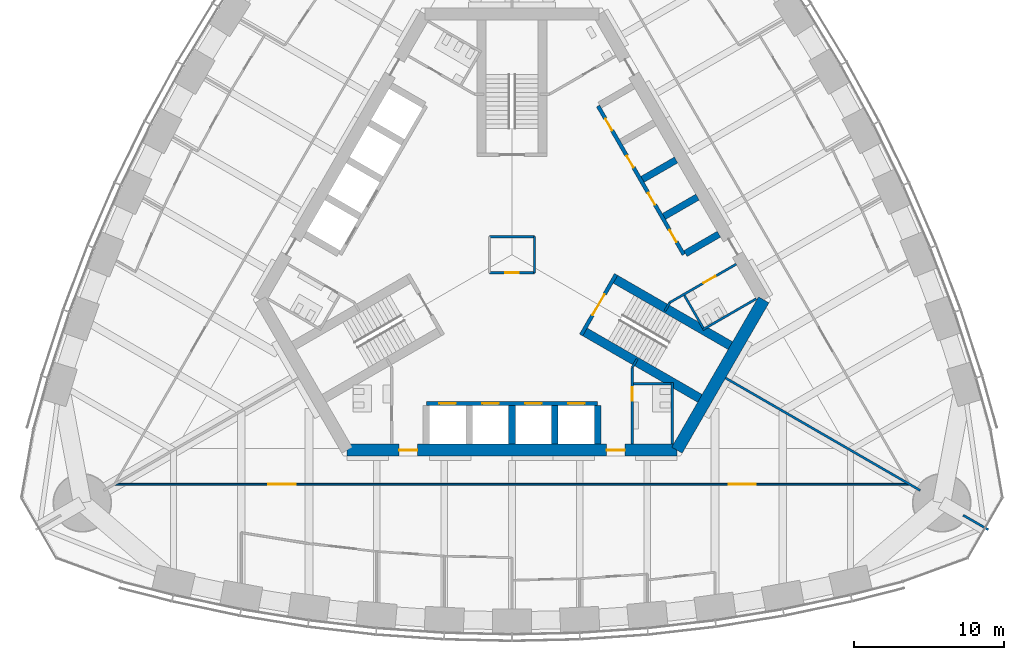
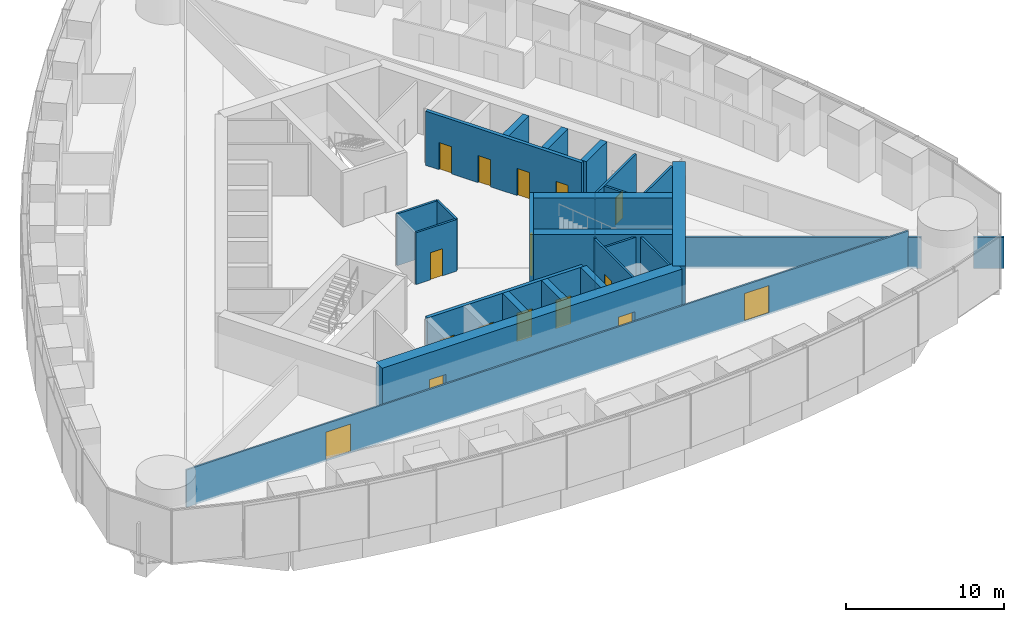
# One storey, part 12 of 19: 27 walls, 16 doors, 16 openings.
"""IFC4 building model written with IfcOpenShell, lengths in metres."""

from ifc_helpers import new_model, si_unit, direction, frame, frame_2d, origin, place, context, subcontext, project, spatial, rectangle, extrude, material, layer, layer_set, type_object, element, fill, save


model = new_model("IFC4")

# Units and contexts
model_context = context("Model", 3, precision=1e-05, world=origin(), true_north=direction((0.0, 1.0)))
body_context = subcontext(model_context, "Body", "Model", "MODEL_VIEW")
ifc_project = project(units=[si_unit("LENGTHUNIT", "METRE"), si_unit("AREAUNIT", "SQUARE_METRE"), si_unit("VOLUMEUNIT", "CUBIC_METRE"), si_unit("PLANEANGLEUNIT", "RADIAN"), si_unit("MASSUNIT", "GRAM", prefix="KILO")], contexts=[model_context])

# Site, building, storey
site_placement = place(None, origin())
site = spatial("IfcSite", under=ifc_project, at=site_placement, CompositionType="ELEMENT")
building_placement = place(site_placement, origin())
building = spatial("IfcBuilding", under=site, at=building_placement, Name="Trefoil Bronze Tower", CompositionType="ELEMENT")
storey_placement = place(building_placement, frame((0.0, 0.0, 189.699951171875)))
storey = spatial("IfcBuildingStorey", under=building, at=storey_placement, Name="L43", CompositionType="ELEMENT", Elevation=189.699951171875)

# Wall, openings, doors
ifc_material_1 = material(Name="Concrete B80", Category="concrete")
ifc_layer_1 = layer(ifc_material_1, 0.800048828125)
ifc_layer_set_1 = layer_set([ifc_layer_1], Name="Core wall 800")
wall_type_1 = type_object("IfcWallType", Name="Core wall 800", PredefinedType="SHEAR", material=ifc_layer_set_1)
wall_1_placement = place(storey_placement, frame((-10.9697265625, -13.0, 0.0), z_axis=(0.0, 0.0, 1.0), x_axis=(1.0, 0.0, 0.0)))
wall_1 = element("IfcWall", 1, at=wall_1_placement, inside=storey, type_object=wall_type_1, Name="Core long wall 1 L43", PredefinedType="SHEAR", context=body_context, shape_type="SweptSolid", body=[
    extrude(rectangle(XDim=21.939453125, YDim=0.800048828125, at=frame_2d((10.9697265625, 0.0))), origin(), (0.0, 0.0, 1.0), 4.199951171875),
])
opening_1_placement = place(wall_1_placement, frame((17.269775390625, 0.0, 0.0)))
opening_1 = element("IfcOpeningElement", 2, at=opening_1_placement, cuts=wall_1, Name="Opening D2", PredefinedType="OPENING", context=body_context, shape_type="SweptSolid", body=[
    extrude(rectangle(XDim=1.199951171875, YDim=2.10009765625, at=frame_2d((0.60009765625, 1.050048828125))), frame((0.0, 0.409912109375, 0.0), z_axis=(0.0, -1.0, 0.0), x_axis=(1.0, 0.0, 0.0)), (0.0, 0.0, 1.0), 0.820068359375),
])
opening_2_placement = place(wall_1_placement, frame((3.4697265625, 0.0, 0.0)))
opening_2 = element("IfcOpeningElement", 3, at=opening_2_placement, cuts=wall_1, Name="Opening D2", PredefinedType="OPENING", context=body_context, shape_type="SweptSolid", body=[
    extrude(rectangle(XDim=1.199951171875, YDim=2.10009765625, at=frame_2d((0.60009765625, 1.050048828125))), frame((0.0, 0.409912109375, 0.0), z_axis=(0.0, -1.0, 0.0), x_axis=(1.0, 0.0, 0.0)), (0.0, 0.0, 1.0), 0.820068359375),
])
ifc_material_2 = material(Name="Steel door", Category="steel")
door_type_1 = type_object("IfcDoorType", Name="Lobby door 1200", OperationType="SINGLE_SWING_RIGHT", PredefinedType="DOOR", material=ifc_material_2)
door_1_placement = place(opening_1_placement, origin())
door_1 = element("IfcDoor", 4, at=door_1_placement, inside=storey, type_object=door_type_1, Name="Lobby door F1+ L43", OperationType="SINGLE_SWING_RIGHT", OverallHeight=2.10009765625, OverallWidth=1.199951171875, PredefinedType="DOOR", context=body_context, shape_type="SweptSolid", body=[
    extrude(rectangle(XDim=1.199951171875, YDim=2.10009765625, at=frame_2d((0.60009765625, 1.050048828125))), frame((0.0, 0.02490234375, 0.0), z_axis=(0.0, -1.0, 0.0), x_axis=(1.0, 0.0, 0.0)), (0.0, 0.0, 1.0), 0.050048828125),
])
fill(opening_1, door_1)
door_2_placement = place(opening_2_placement, origin())
door_2 = element("IfcDoor", 5, at=door_2_placement, inside=storey, type_object=door_type_1, Name="Lobby door F1- L43", OperationType="SINGLE_SWING_LEFT", OverallHeight=2.10009765625, OverallWidth=1.199951171875, PredefinedType="DOOR", context=body_context, shape_type="SweptSolid", body=[
    extrude(rectangle(XDim=1.199951171875, YDim=2.10009765625, at=frame_2d((0.60009765625, 1.050048828125))), frame((0.0, 0.02490234375, 0.0), z_axis=(0.0, -1.0, 0.0), x_axis=(1.0, 0.0, 0.0)), (0.0, 0.0, 1.0), 0.050048828125),
])
fill(opening_2, door_2)

# Wall
wall_2_placement = place(storey_placement, frame((10.9697265625, -13.0, 0.0), z_axis=(0.0, 0.0, 1.0), x_axis=(0.499995765644, 0.866027848477, 0.0)))
element("IfcWall", 6, at=wall_2_placement, inside=storey, type_object=wall_type_1, Name="Core short wall 1 L43", PredefinedType="SHEAR", context=body_context, shape_type="SweptSolid", body=[
    extrude(rectangle(XDim=11.546875, YDim=0.800048828125, at=frame_2d((5.7734375, 0.0))), origin(), (0.0, 0.0, 1.0), 4.199951171875),
])

# Wall, openings, doors
ifc_material_3 = material(Name="Glazed partition", Category="glass")
ifc_layer_2 = layer(ifc_material_3, 0.1201171875)
ifc_layer_set_2 = layer_set([ifc_layer_2], Name="Glazed partition 120")
wall_type_2 = type_object("IfcWallType", Name="Glazed partition 120", PredefinedType="PARTITIONING", material=ifc_layer_set_2)
wall_3_placement = place(storey_placement, frame((-26.398193359375, -15.260009765625, 0.0), z_axis=(0.0, 0.0, 1.0), x_axis=(1.0, 0.0, 0.0)))
wall_3 = element("IfcWall", 7, at=wall_3_placement, inside=storey, type_object=wall_type_2, Name="Partition F1 L43", PredefinedType="PARTITIONING", context=body_context, shape_type="SweptSolid", body=[
    extrude(rectangle(XDim=52.79638671875, YDim=0.1201171875, at=frame_2d((26.398193359375, 0.0))), origin(), (0.0, 0.0, 1.0), 2.900146484375),
])
opening_3_placement = place(wall_3_placement, frame((10.199951171875, 0.0, 0.14990234375)))
opening_3 = element("IfcOpeningElement", 8, at=opening_3_placement, cuts=wall_3, Name="Opening D10", PredefinedType="OPENING", context=body_context, shape_type="SweptSolid", body=[
    extrude(rectangle(XDim=1.800048828125, YDim=2.10009765625, at=frame_2d((0.89990234375, 1.050048828125))), frame((0.0, 0.070068359375, 0.0), z_axis=(0.0, -1.0, 0.0), x_axis=(1.0, 0.0, 0.0)), (0.0, 0.0, 1.0), 0.14013671875),
])
opening_4_placement = place(wall_3_placement, frame((40.800048828125, 0.0, 0.14990234375)))
opening_4 = element("IfcOpeningElement", 9, at=opening_4_placement, cuts=wall_3, Name="Opening D10", PredefinedType="OPENING", context=body_context, shape_type="SweptSolid", body=[
    extrude(rectangle(XDim=1.800048828125, YDim=2.10009765625, at=frame_2d((0.89990234375, 1.050048828125))), frame((0.0, 0.070068359375, 0.0), z_axis=(0.0, -1.0, 0.0), x_axis=(1.0, 0.0, 0.0)), (0.0, 0.0, 1.0), 0.14013671875),
])
ifc_material_4 = material(Name="Timber door", Category="wood")
door_type_2 = type_object("IfcDoorType", Name="Double door 1800", OperationType="DOUBLE_DOOR_SINGLE_SWING", PredefinedType="DOOR", material=ifc_material_4)
door_3_placement = place(opening_3_placement, origin())
door_3 = element("IfcDoor", 10, at=door_3_placement, inside=storey, type_object=door_type_2, Name="Corridor door F1 L43", OperationType="DOUBLE_DOOR_SINGLE_SWING", OverallHeight=2.10009765625, OverallWidth=1.800048828125, PredefinedType="DOOR", context=body_context, shape_type="SweptSolid", body=[
    extrude(rectangle(XDim=1.800048828125, YDim=2.10009765625, at=frame_2d((0.89990234375, 1.050048828125))), frame((0.0, 0.02490234375, 0.0), z_axis=(0.0, -1.0, 0.0), x_axis=(1.0, 0.0, 0.0)), (0.0, 0.0, 1.0), 0.050048828125),
])
fill(opening_3, door_3)
door_4_placement = place(opening_4_placement, origin())
door_4 = element("IfcDoor", 11, at=door_4_placement, inside=storey, type_object=door_type_2, Name="Corridor door F1 L43", OperationType="DOUBLE_DOOR_SINGLE_SWING", OverallHeight=2.10009765625, OverallWidth=1.800048828125, PredefinedType="DOOR", context=body_context, shape_type="SweptSolid", body=[
    extrude(rectangle(XDim=1.800048828125, YDim=2.10009765625, at=frame_2d((0.89990234375, 1.050048828125))), frame((0.0, 0.02490234375, 0.0), z_axis=(0.0, -1.0, 0.0), x_axis=(1.0, 0.0, 0.0)), (0.0, 0.0, 1.0), 0.050048828125),
])
fill(opening_4, door_4)

# Walls
ifc_material_5 = material(Name="Concrete B80", Category="concrete")
ifc_layer_3 = layer(ifc_material_5, 0.449951171875)
ifc_layer_set_3 = layer_set([ifc_layer_3], Name="Outrigger shaft wall 450")
wall_type_3 = type_object("IfcWallType", Name="Outrigger shaft wall 450", PredefinedType="SHEAR", material=ifc_layer_set_3)
for number, where, z_axis, x_axis, name in (
    (12, (0.0, -10.02490234375, 0.0), (0.0, 0.0, 1.0), (0.0, -1.0, 0.0), "Lift shaft side wall A2 L43"),
    (13, (2.85009765625, -10.02490234375, 0.0), (0.0, 0.0, 1.0), (0.0, -1.0, 0.0), "Lift shaft side wall A3 L43"),
    (14, (5.699951171875, -10.02490234375, 0.0), (0.0, 0.0, 1.0), (0.0, -1.0, 0.0), "Lift shaft side wall A4 L43"),
):
    element("IfcWall", number, at=place(storey_placement, frame(where, z_axis=z_axis, x_axis=x_axis)), inside=storey, type_object=wall_type_3, Name=name, PredefinedType="SHEAR", context=body_context, shape_type="SweptSolid", body=[
        extrude(rectangle(XDim=2.5751953125, YDim=0.449951171875, at=frame_2d((1.28759765625, 0.0))), origin(), (0.0, 0.0, 1.0), 4.199951171875),
    ])
for number, where, z_axis, x_axis, name in (
    (15, (11.531982421875, 0.076171875, 0.0), (0.0, 0.0, 1.0), (0.866005588531, 0.500034319456, 0.0), "Lift shaft side wall B0 L43"),
    (16, (10.10693359375, 2.54443359375, 0.0), (0.0, 0.0, 1.0), (0.866046643894, 0.499963209246, 0.0), "Lift shaft side wall B1 L43"),
    (17, (8.681884765625, 5.012451171875, 0.0), (0.0, 0.0, 1.0), (0.866005588531, 0.500034319456, 0.0), "Lift shaft side wall B2 L43"),
):
    element("IfcWall", number, at=place(storey_placement, frame(where, z_axis=z_axis, x_axis=x_axis)), inside=storey, type_object=wall_type_3, Name=name, PredefinedType="SHEAR", context=body_context, shape_type="SweptSolid", body=[
        extrude(rectangle(XDim=2.574951171875, YDim=0.449951171875, at=frame_2d((1.28759765625, 0.0))), origin(), (0.0, 0.0, 1.0), 4.199951171875),
    ])

# Wall, opening, door
ifc_material_6 = material(Name="Gypsum board on steel studs", Category="steel")
ifc_layer_4 = layer(ifc_material_6, 0.14990234375)
ifc_layer_set_4 = layer_set([ifc_layer_4], Name="Partition 150")
wall_type_4 = type_object("IfcWallType", Name="Partition 150", PredefinedType="PARTITIONING", material=ifc_layer_set_4)
wall_4_placement = place(storey_placement, frame((8.0, -7.5, 0.0), z_axis=(0.0, 0.0, 1.0), x_axis=(0.0, -1.0, 0.0)))
wall_4 = element("IfcWall", 18, at=wall_4_placement, inside=storey, type_object=wall_type_4, Name="Passage wall F1+ L43", PredefinedType="PARTITIONING", context=body_context, shape_type="SweptSolid", body=[
    extrude(rectangle(XDim=5.10009765625, YDim=0.14990234375, at=frame_2d((2.550048828125, 0.0))), origin(), (0.0, 0.0, 1.0), 4.0),
])
opening_5_placement = place(wall_4_placement, frame((1.300048828125, 0.0, 0.0)))
opening_5 = element("IfcOpeningElement", 19, at=opening_5_placement, cuts=wall_4, Name="Opening D3", PredefinedType="OPENING", context=body_context, shape_type="SweptSolid", body=[
    extrude(rectangle(XDim=0.89990234375, YDim=2.10009765625, at=frame_2d((0.449951171875, 1.050048828125))), frame((0.0, 0.0849609375, 0.0), z_axis=(0.0, -1.0, 0.0), x_axis=(1.0, 0.0, 0.0)), (0.0, 0.0, 1.0), 0.169921875),
])
ifc_material_7 = material(Name="Timber door", Category="wood")
door_type_3 = type_object("IfcDoorType", Name="WC door 900", OperationType="SINGLE_SWING_LEFT", PredefinedType="DOOR", material=ifc_material_7)
door_5_placement = place(opening_5_placement, origin())
door_5 = element("IfcDoor", 20, at=door_5_placement, inside=storey, type_object=door_type_3, Name="WC (men) door L43", OperationType="SINGLE_SWING_LEFT", OverallHeight=2.10009765625, OverallWidth=0.89990234375, PredefinedType="DOOR", context=body_context, shape_type="SweptSolid", body=[
    extrude(rectangle(XDim=0.89990234375, YDim=2.10009765625, at=frame_2d((0.449951171875, 1.050048828125))), frame((0.0, 0.02490234375, 0.0), z_axis=(0.0, -1.0, 0.0), x_axis=(1.0, 0.0, 0.0)), (0.0, 0.0, 1.0), 0.050048828125),
])
fill(opening_5, door_5)

wall_5_placement = place(storey_placement, frame((10.4951171875, -3.17822265625, 0.0), z_axis=(0.0, 0.0, 1.0), x_axis=(0.86602216432, 0.500005610874, 0.0)))
wall_5 = element("IfcWall", 21, at=wall_5_placement, inside=storey, type_object=wall_type_4, Name="Passage wall F2- L43", PredefinedType="PARTITIONING", context=body_context, shape_type="SweptSolid", body=[
    extrude(rectangle(XDim=5.10009765625, YDim=0.14990234375, at=frame_2d((2.550048828125, 0.0))), origin(), (0.0, 0.0, 1.0), 4.0),
])
opening_6_placement = place(wall_5_placement, frame((2.60009765625, 0.0, 0.0)))
opening_6 = element("IfcOpeningElement", 22, at=opening_6_placement, cuts=wall_5, Name="Opening D3", PredefinedType="OPENING", context=body_context, shape_type="SweptSolid", body=[
    extrude(rectangle(XDim=0.89990234375, YDim=2.10009765625, at=frame_2d((0.449951171875, 1.050048828125))), frame((0.0, 0.0849609375, 0.0), z_axis=(0.0, -1.0, 0.0), x_axis=(1.0, 0.0, 0.0)), (0.0, 0.0, 1.0), 0.169921875),
])
door_6_placement = place(opening_6_placement, frame((0.89990234375, 0.0, 0.0), z_axis=(0.0, 0.0, 1.0), x_axis=(-1.0, 0.0, 0.0)))
door_6 = element("IfcDoor", 23, at=door_6_placement, inside=storey, type_object=door_type_3, Name="WC (women) door L43", OperationType="SINGLE_SWING_RIGHT", OverallHeight=2.10009765625, OverallWidth=0.89990234375, PredefinedType="DOOR", context=body_context, shape_type="SweptSolid", body=[
    extrude(rectangle(XDim=0.89990234375, YDim=2.10009765625, at=frame_2d((0.449951171875, 1.050048828125))), frame((0.0, 0.02490234375, 0.0), z_axis=(0.0, -1.0, 0.0), x_axis=(1.0, 0.0, 0.0)), (0.0, 0.0, 1.0), 0.050048828125),
])
fill(opening_6, door_6)

# Walls
for number, where, z_axis, x_axis, name in (
    (24, (8.0, -7.5, 0.0), (0.0, 0.0, 1.0), (0.499842556608, 0.866116284689, 0.0), "WC wall ST1-1 L43"),
    (25, (10.4951171875, -3.17822265625, 0.0), (0.0, 0.0, 1.0), (-0.499842556608, -0.866116284689, 0.0), "WC wall ST1+1 L43"),
):
    element("IfcWall", number, at=place(storey_placement, frame(where, z_axis=z_axis, x_axis=x_axis)), inside=storey, type_object=wall_type_4, Name=name, PredefinedType="PARTITIONING", context=body_context, shape_type="SweptSolid", body=[
        extrude(rectangle(XDim=0.645263671875, YDim=0.14990234375, at=frame_2d((0.32275390625, 0.0))), origin(), (0.0, 0.0, 1.0), 4.0),
    ])
wall_6_placement = place(storey_placement, frame((10.659912109375, -8.5, 0.0), z_axis=(0.0, 0.0, 1.0), x_axis=(0.0, -1.0, 0.0)))
element("IfcWall", 26, at=wall_6_placement, inside=storey, type_object=wall_type_4, Name="WC partition WC (men) L43", PredefinedType="PARTITIONING", context=body_context, shape_type="SweptSolid", body=[
    extrude(rectangle(XDim=4.10009765625, YDim=0.14990234375, at=frame_2d((2.050048828125, 0.0))), origin(), (0.0, 0.0, 1.0), 4.0),
])
wall_7_placement = place(storey_placement, frame((8.074951171875, -8.574951171875, 0.0), z_axis=(0.0, 0.0, 1.0), x_axis=(1.0, 0.0, 0.0)))
element("IfcWall", 27, at=wall_7_placement, inside=storey, type_object=wall_type_4, Name="WC partition WC (men) L43", PredefinedType="PARTITIONING", context=body_context, shape_type="SweptSolid", body=[
    extrude(rectangle(XDim=2.510009765625, YDim=0.14990234375, at=frame_2d((1.2548828125, 0.0))), origin(), (0.0, 0.0, 1.0), 4.0),
])
wall_8_placement = place(storey_placement, frame((12.691162109375, -4.98193359375, 0.0), z_axis=(0.0, 0.0, 1.0), x_axis=(0.8660249478, 0.500000789788, 0.0)))
element("IfcWall", 28, at=wall_8_placement, inside=storey, type_object=wall_type_4, Name="WC partition WC (women) L43", PredefinedType="PARTITIONING", context=body_context, shape_type="SweptSolid", body=[
    extrude(rectangle(XDim=4.10009765625, YDim=0.14990234375, at=frame_2d((2.050048828125, 0.0))), origin(), (0.0, 0.0, 1.0), 4.0),
])
wall_9_placement = place(storey_placement, frame((11.463623046875, -2.70556640625, 0.0), z_axis=(0.0, 0.0, 1.0), x_axis=(0.50001992892, -0.866013897511, 0.0)))
element("IfcWall", 29, at=wall_9_placement, inside=storey, type_object=wall_type_4, Name="WC partition WC (women) L43", PredefinedType="PARTITIONING", context=body_context, shape_type="SweptSolid", body=[
    extrude(rectangle(XDim=2.51025390625, YDim=0.14990234375, at=frame_2d((1.255126953125, 0.0))), origin(), (0.0, 0.0, 1.0), 4.0),
])
ifc_material_8 = material(Name="Gypsum board on steel studs", Category="steel")
ifc_layer_5 = layer(ifc_material_8, 0.14990234375)
ifc_layer_set_5 = layer_set([ifc_layer_5], Name="Party wall 150")
wall_type_5 = type_object("IfcWallType", Name="Party wall 150", PredefinedType="PARTITIONING", material=ifc_layer_set_5)
wall_10_placement = place(storey_placement, frame((14.202880859375, -8.199951171875, 0.0), z_axis=(0.0, 0.0, 1.0), x_axis=(0.866021600284, -0.500006587798, 0.0)))
element("IfcWall", 30, at=wall_10_placement, inside=storey, type_object=wall_type_5, Name="Party wall K1 L43", PredefinedType="PARTITIONING", context=body_context, shape_type="SweptSolid", body=[
    extrude(rectangle(XDim=14.949951171875, YDim=0.14990234375, at=frame_2d((7.47509765625, 0.0))), origin(), (0.0, 0.0, 1.0), 2.400146484375),
])
wall_11_placement = place(storey_placement, frame((30.0078125, -17.324951171875, 0.0), z_axis=(0.0, 0.0, 1.0), x_axis=(0.866013246922, -0.500021055713, 0.0)))
element("IfcWall", 31, at=wall_11_placement, inside=storey, type_object=wall_type_5, Name="Party wall K1 L43", PredefinedType="PARTITIONING", context=body_context, shape_type="SweptSolid", body=[
    extrude(rectangle(XDim=1.9345703125, YDim=0.14990234375, at=frame_2d((0.96728515625, 0.0))), origin(), (0.0, 0.0, 1.0), 2.400146484375),
])

# Wall, opening, door
ifc_material_9 = material(Name="Gypsum board on steel studs", Category="steel")
ifc_layer_6 = layer(ifc_material_9, 0.14990234375)
ifc_layer_set_6 = layer_set([ifc_layer_6], Name="Riser wall 150")
wall_type_6 = type_object("IfcWallType", Name="Riser wall 150", PredefinedType="PARTITIONING", material=ifc_layer_set_6)
wall_12_placement = place(storey_placement, frame((-1.5, -1.199951171875, 0.0), z_axis=(0.0, 0.0, 1.0), x_axis=(1.0, 0.0, 0.0)))
wall_12 = element("IfcWall", 32, at=wall_12_placement, inside=storey, type_object=wall_type_6, Name="Riser wall L43", PredefinedType="PARTITIONING", context=body_context, shape_type="SweptSolid", body=[
    extrude(rectangle(XDim=3.0, YDim=0.14990234375, at=frame_2d((1.5, 0.0))), origin(), (0.0, 0.0, 1.0), 4.0),
])
opening_7_placement = place(wall_12_placement, frame((1.050048828125, 0.0, 0.0)))
opening_7 = element("IfcOpeningElement", 33, at=opening_7_placement, cuts=wall_12, Name="Opening D4", PredefinedType="OPENING", context=body_context, shape_type="SweptSolid", body=[
    extrude(rectangle(XDim=0.89990234375, YDim=2.10009765625, at=frame_2d((0.449951171875, 1.050048828125))), frame((0.0, 0.0849609375, 0.0), z_axis=(0.0, -1.0, 0.0), x_axis=(1.0, 0.0, 0.0)), (0.0, 0.0, 1.0), 0.169921875),
])
ifc_material_10 = material(Name="Steel door", Category="steel")
door_type_4 = type_object("IfcDoorType", Name="Riser door 900", OperationType="SINGLE_SWING_LEFT", PredefinedType="DOOR", material=ifc_material_10)
door_7_placement = place(opening_7_placement, frame((0.89990234375, 0.0, 0.0), z_axis=(0.0, 0.0, 1.0), x_axis=(-1.0, 0.0, 0.0)))
door_7 = element("IfcDoor", 34, at=door_7_placement, inside=storey, type_object=door_type_4, Name="Riser door L43", OperationType="SINGLE_SWING_LEFT", OverallHeight=2.10009765625, OverallWidth=0.89990234375, PredefinedType="DOOR", context=body_context, shape_type="SweptSolid", body=[
    extrude(rectangle(XDim=0.89990234375, YDim=2.10009765625, at=frame_2d((0.449951171875, 1.050048828125))), frame((0.0, 0.02490234375, 0.0), z_axis=(0.0, -1.0, 0.0), x_axis=(1.0, 0.0, 0.0)), (0.0, 0.0, 1.0), 0.050048828125),
])
fill(opening_7, door_7)

# Walls
wall_13_placement = place(storey_placement, frame((1.5, -1.199951171875, 0.0), z_axis=(0.0, 0.0, 1.0), x_axis=(0.0, 1.0, 0.0)))
element("IfcWall", 35, at=wall_13_placement, inside=storey, type_object=wall_type_6, Name="Riser wall L43", PredefinedType="PARTITIONING", context=body_context, shape_type="SweptSolid", body=[
    extrude(rectangle(XDim=2.39990234375, YDim=0.14990234375, at=frame_2d((1.199951171875, 0.0))), origin(), (0.0, 0.0, 1.0), 4.0),
])
wall_14_placement = place(storey_placement, frame((1.5, 1.199951171875, 0.0), z_axis=(0.0, 0.0, 1.0), x_axis=(-1.0, 0.0, 0.0)))
element("IfcWall", 36, at=wall_14_placement, inside=storey, type_object=wall_type_6, Name="Riser wall L43", PredefinedType="PARTITIONING", context=body_context, shape_type="SweptSolid", body=[
    extrude(rectangle(XDim=3.0, YDim=0.14990234375, at=frame_2d((1.5, 0.0))), origin(), (0.0, 0.0, 1.0), 4.0),
])

# Wall, openings, doors
ifc_material_11 = material(Name="Concrete B80", Category="concrete")
ifc_layer_7 = layer(ifc_material_11, 0.25)
ifc_layer_set_7 = layer_set([ifc_layer_7], Name="Shaft wall 250")
wall_type_7 = type_object("IfcWallType", Name="Shaft wall 250", PredefinedType="SHEAR", material=ifc_layer_set_7)
wall_15_placement = place(storey_placement, frame((-5.699951171875, -9.89990234375, 0.0), z_axis=(0.0, 0.0, 1.0), x_axis=(1.0, 0.0, 0.0)))
wall_15 = element("IfcWall", 37, at=wall_15_placement, inside=storey, type_object=wall_type_7, Name="Lift shaft front wall A L43", PredefinedType="SHEAR", context=body_context, shape_type="SweptSolid", body=[
    extrude(rectangle(XDim=11.39990234375, YDim=0.25, at=frame_2d((5.699951171875, 0.0))), origin(), (0.0, 0.0, 1.0), 4.199951171875),
])
opening_8_placement = place(wall_15_placement, frame((0.875, 0.0, 0.0)))
opening_8 = element("IfcOpeningElement", 38, at=opening_8_placement, cuts=wall_15, Name="Opening LD-P31", PredefinedType="OPENING", context=body_context, shape_type="SweptSolid", body=[
    extrude(rectangle(XDim=1.10009765625, YDim=2.199951171875, at=frame_2d((0.550048828125, 1.10009765625))), frame((0.0, 0.135009765625, 0.0), z_axis=(0.0, -1.0, 0.0), x_axis=(1.0, 0.0, 0.0)), (0.0, 0.0, 1.0), 0.27001953125),
])
opening_9_placement = place(wall_15_placement, frame((3.72509765625, 0.0, 0.0)))
opening_9 = element("IfcOpeningElement", 39, at=opening_9_placement, cuts=wall_15, Name="Opening LD-P32", PredefinedType="OPENING", context=body_context, shape_type="SweptSolid", body=[
    extrude(rectangle(XDim=1.10009765625, YDim=2.199951171875, at=frame_2d((0.550048828125, 1.10009765625))), frame((0.0, 0.135009765625, 0.0), z_axis=(0.0, -1.0, 0.0), x_axis=(1.0, 0.0, 0.0)), (0.0, 0.0, 1.0), 0.27001953125),
])
opening_10_placement = place(wall_15_placement, frame((6.574951171875, 0.0, 0.0)))
opening_10 = element("IfcOpeningElement", 40, at=opening_10_placement, cuts=wall_15, Name="Opening LD-P33", PredefinedType="OPENING", context=body_context, shape_type="SweptSolid", body=[
    extrude(rectangle(XDim=1.10009765625, YDim=2.199951171875, at=frame_2d((0.550048828125, 1.10009765625))), frame((0.0, 0.135009765625, 0.0), z_axis=(0.0, -1.0, 0.0), x_axis=(1.0, 0.0, 0.0)), (0.0, 0.0, 1.0), 0.27001953125),
])
opening_11_placement = place(wall_15_placement, frame((9.425048828125, 0.0, 0.0)))
opening_11 = element("IfcOpeningElement", 41, at=opening_11_placement, cuts=wall_15, Name="Opening LD-P34", PredefinedType="OPENING", context=body_context, shape_type="SweptSolid", body=[
    extrude(rectangle(XDim=1.10009765625, YDim=2.199951171875, at=frame_2d((0.550048828125, 1.10009765625))), frame((0.0, 0.135009765625, 0.0), z_axis=(0.0, -1.0, 0.0), x_axis=(1.0, 0.0, 0.0)), (0.0, 0.0, 1.0), 0.27001953125),
])
ifc_material_12 = material(Name="Steel door", Category="steel")
door_type_5 = type_object("IfcDoorType", Name="Lift landing door 1100", OperationType="DOUBLE_DOOR_SLIDING", PredefinedType="DOOR", material=ifc_material_12)
door_8_placement = place(opening_8_placement, origin())
door_8 = element("IfcDoor", 42, at=door_8_placement, inside=storey, type_object=door_type_5, Name="Lift P31 landing door L43", OperationType="DOUBLE_DOOR_SLIDING", OverallHeight=2.199951171875, OverallWidth=1.10009765625, PredefinedType="DOOR", context=body_context, shape_type="SweptSolid", body=[
    extrude(rectangle(XDim=1.10009765625, YDim=2.199951171875, at=frame_2d((0.550048828125, 1.10009765625))), frame((0.0, 0.02490234375, 0.0), z_axis=(0.0, -1.0, 0.0), x_axis=(1.0, 0.0, 0.0)), (0.0, 0.0, 1.0), 0.050048828125),
])
fill(opening_8, door_8)
door_9_placement = place(opening_9_placement, origin())
door_9 = element("IfcDoor", 43, at=door_9_placement, inside=storey, type_object=door_type_5, Name="Lift P32 landing door L43", OperationType="DOUBLE_DOOR_SLIDING", OverallHeight=2.199951171875, OverallWidth=1.10009765625, PredefinedType="DOOR", context=body_context, shape_type="SweptSolid", body=[
    extrude(rectangle(XDim=1.10009765625, YDim=2.199951171875, at=frame_2d((0.550048828125, 1.10009765625))), frame((0.0, 0.02490234375, 0.0), z_axis=(0.0, -1.0, 0.0), x_axis=(1.0, 0.0, 0.0)), (0.0, 0.0, 1.0), 0.050048828125),
])
fill(opening_9, door_9)
door_10_placement = place(opening_10_placement, origin())
door_10 = element("IfcDoor", 44, at=door_10_placement, inside=storey, type_object=door_type_5, Name="Lift P33 landing door L43", OperationType="DOUBLE_DOOR_SLIDING", OverallHeight=2.199951171875, OverallWidth=1.10009765625, PredefinedType="DOOR", context=body_context, shape_type="SweptSolid", body=[
    extrude(rectangle(XDim=1.10009765625, YDim=2.199951171875, at=frame_2d((0.550048828125, 1.10009765625))), frame((0.0, 0.02490234375, 0.0), z_axis=(0.0, -1.0, 0.0), x_axis=(1.0, 0.0, 0.0)), (0.0, 0.0, 1.0), 0.050048828125),
])
fill(opening_10, door_10)
door_11_placement = place(opening_11_placement, origin())
door_11 = element("IfcDoor", 45, at=door_11_placement, inside=storey, type_object=door_type_5, Name="Lift P34 landing door L43", OperationType="DOUBLE_DOOR_SLIDING", OverallHeight=2.199951171875, OverallWidth=1.10009765625, PredefinedType="DOOR", context=body_context, shape_type="SweptSolid", body=[
    extrude(rectangle(XDim=1.10009765625, YDim=2.199951171875, at=frame_2d((0.550048828125, 1.10009765625))), frame((0.0, 0.02490234375, 0.0), z_axis=(0.0, -1.0, 0.0), x_axis=(1.0, 0.0, 0.0)), (0.0, 0.0, 1.0), 0.050048828125),
])
fill(opening_11, door_11)

wall_16_placement = place(storey_placement, frame((11.423583984375, 0.013671875, 0.0), z_axis=(0.0, 0.0, 1.0), x_axis=(-0.500001763848, 0.866024385424, 0.0)))
wall_16 = element("IfcWall", 46, at=wall_16_placement, inside=storey, type_object=wall_type_7, Name="Lift shaft front wall B L43", PredefinedType="SHEAR", context=body_context, shape_type="SweptSolid", body=[
    extrude(rectangle(XDim=11.39990234375, YDim=0.25, at=frame_2d((5.699951171875, 0.0))), origin(), (0.0, 0.0, 1.0), 4.199951171875),
])
opening_12_placement = place(wall_16_placement, frame((0.97509765625, 0.0, 0.0)))
opening_12 = element("IfcOpeningElement", 47, at=opening_12_placement, cuts=wall_16, Name="Opening D12", PredefinedType="OPENING", context=body_context, shape_type="SweptSolid", body=[
    extrude(rectangle(XDim=0.89990234375, YDim=2.10009765625, at=frame_2d((0.449951171875, 1.050048828125))), frame((0.0, 0.135009765625, 0.0), z_axis=(0.0, -1.0, 0.0), x_axis=(1.0, 0.0, 0.0)), (0.0, 0.0, 1.0), 0.27001953125),
])
opening_13_placement = place(wall_16_placement, frame((3.824951171875, 0.0, 0.0)))
opening_13 = element("IfcOpeningElement", 48, at=opening_13_placement, cuts=wall_16, Name="Opening D12", PredefinedType="OPENING", context=body_context, shape_type="SweptSolid", body=[
    extrude(rectangle(XDim=0.89990234375, YDim=2.10009765625, at=frame_2d((0.449951171875, 1.050048828125))), frame((0.0, 0.135009765625, 0.0), z_axis=(0.0, -1.0, 0.0), x_axis=(1.0, 0.0, 0.0)), (0.0, 0.0, 1.0), 0.27001953125),
])
opening_14_placement = place(wall_16_placement, frame((6.675048828125, 0.0, 0.0)))
opening_14 = element("IfcOpeningElement", 49, at=opening_14_placement, cuts=wall_16, Name="Opening D12", PredefinedType="OPENING", context=body_context, shape_type="SweptSolid", body=[
    extrude(rectangle(XDim=0.89990234375, YDim=2.10009765625, at=frame_2d((0.449951171875, 1.050048828125))), frame((0.0, 0.135009765625, 0.0), z_axis=(0.0, -1.0, 0.0), x_axis=(1.0, 0.0, 0.0)), (0.0, 0.0, 1.0), 0.27001953125),
])
opening_15_placement = place(wall_16_placement, frame((9.52490234375, 0.0, 0.0)))
opening_15 = element("IfcOpeningElement", 50, at=opening_15_placement, cuts=wall_16, Name="Opening D12", PredefinedType="OPENING", context=body_context, shape_type="SweptSolid", body=[
    extrude(rectangle(XDim=0.89990234375, YDim=2.10009765625, at=frame_2d((0.449951171875, 1.050048828125))), frame((0.0, 0.135009765625, 0.0), z_axis=(0.0, -1.0, 0.0), x_axis=(1.0, 0.0, 0.0)), (0.0, 0.0, 1.0), 0.27001953125),
])
ifc_material_13 = material(Name="Steel door", Category="steel")
door_type_6 = type_object("IfcDoorType", Name="Shaft room door 900", OperationType="SINGLE_SWING_LEFT", PredefinedType="DOOR", material=ifc_material_13)
door_12_placement = place(opening_12_placement, frame((0.89990234375, 0.0, 0.0), z_axis=(0.0, 0.0, 1.0), x_axis=(-1.0, 0.0, 0.0)))
door_12 = element("IfcDoor", 51, at=door_12_placement, inside=storey, type_object=door_type_6, Name="Shaft room door B1 L43", OperationType="SINGLE_SWING_LEFT", OverallHeight=2.10009765625, OverallWidth=0.89990234375, PredefinedType="DOOR", context=body_context, shape_type="SweptSolid", body=[
    extrude(rectangle(XDim=0.89990234375, YDim=2.10009765625, at=frame_2d((0.449951171875, 1.050048828125))), frame((0.0, 0.02490234375, 0.0), z_axis=(0.0, -1.0, 0.0), x_axis=(1.0, 0.0, 0.0)), (0.0, 0.0, 1.0), 0.050048828125),
])
fill(opening_12, door_12)
door_13_placement = place(opening_13_placement, frame((0.89990234375, 0.0, 0.0), z_axis=(0.0, 0.0, 1.0), x_axis=(-1.0, 0.0, 0.0)))
door_13 = element("IfcDoor", 52, at=door_13_placement, inside=storey, type_object=door_type_6, Name="Shaft room door B2 L43", OperationType="SINGLE_SWING_RIGHT", OverallHeight=2.10009765625, OverallWidth=0.89990234375, PredefinedType="DOOR", context=body_context, shape_type="SweptSolid", body=[
    extrude(rectangle(XDim=0.89990234375, YDim=2.10009765625, at=frame_2d((0.449951171875, 1.050048828125))), frame((0.0, 0.02490234375, 0.0), z_axis=(0.0, -1.0, 0.0), x_axis=(1.0, 0.0, 0.0)), (0.0, 0.0, 1.0), 0.050048828125),
])
fill(opening_13, door_13)
door_14_placement = place(opening_14_placement, frame((0.89990234375, 0.0, 0.0), z_axis=(0.0, 0.0, 1.0), x_axis=(-1.0, 0.0, 0.0)))
door_14 = element("IfcDoor", 53, at=door_14_placement, inside=storey, type_object=door_type_6, Name="Shaft room door B3 L43", OperationType="SINGLE_SWING_RIGHT", OverallHeight=2.10009765625, OverallWidth=0.89990234375, PredefinedType="DOOR", context=body_context, shape_type="SweptSolid", body=[
    extrude(rectangle(XDim=0.89990234375, YDim=2.10009765625, at=frame_2d((0.449951171875, 1.050048828125))), frame((0.0, 0.02490234375, 0.0), z_axis=(0.0, -1.0, 0.0), x_axis=(1.0, 0.0, 0.0)), (0.0, 0.0, 1.0), 0.050048828125),
])
fill(opening_14, door_14)
door_15_placement = place(opening_15_placement, frame((0.89990234375, 0.0, 0.0), z_axis=(0.0, 0.0, 1.0), x_axis=(-1.0, 0.0, 0.0)))
door_15 = element("IfcDoor", 54, at=door_15_placement, inside=storey, type_object=door_type_6, Name="Shaft room door B4 L43", OperationType="SINGLE_SWING_RIGHT", OverallHeight=2.10009765625, OverallWidth=0.89990234375, PredefinedType="DOOR", context=body_context, shape_type="SweptSolid", body=[
    extrude(rectangle(XDim=0.89990234375, YDim=2.10009765625, at=frame_2d((0.449951171875, 1.050048828125))), frame((0.0, 0.02490234375, 0.0), z_axis=(0.0, -1.0, 0.0), x_axis=(1.0, 0.0, 0.0)), (0.0, 0.0, 1.0), 0.050048828125),
])
fill(opening_15, door_15)

# Wall, opening, door
wall_17_placement = place(storey_placement, frame((4.5966796875, -5.338623046875, 0.0), z_axis=(0.0, 0.0, 1.0), x_axis=(0.499984536904, 0.866034331223, 0.0)))
wall_17 = element("IfcWall", 55, at=wall_17_placement, inside=storey, type_object=wall_type_7, Name="Stair end wall ST1 L43", PredefinedType="SHEAR", context=body_context, shape_type="SweptSolid", body=[
    extrude(rectangle(XDim=4.650146484375, YDim=0.25, at=frame_2d((2.3251953125, 0.0))), origin(), (0.0, 0.0, 1.0), 4.199951171875),
])
opening_16_placement = place(wall_17_placement, frame((1.52490234375, 0.0, 0.0)))
opening_16 = element("IfcOpeningElement", 56, at=opening_16_placement, cuts=wall_17, Name="Opening D1", PredefinedType="OPENING", context=body_context, shape_type="SweptSolid", body=[
    extrude(rectangle(XDim=1.60009765625, YDim=2.10009765625, at=frame_2d((0.800048828125, 1.050048828125))), frame((0.0, 0.135009765625, 0.0), z_axis=(0.0, -1.0, 0.0), x_axis=(1.0, 0.0, 0.0)), (0.0, 0.0, 1.0), 0.27001953125),
])
ifc_material_14 = material(Name="Steel door", Category="steel")
door_type_7 = type_object("IfcDoorType", Name="Stair door 1600", OperationType="DOUBLE_DOOR_SINGLE_SWING", PredefinedType="DOOR", material=ifc_material_14)
door_16_placement = place(opening_16_placement, frame((1.60009765625, 0.0, 0.0), z_axis=(0.0, 0.0, 1.0), x_axis=(-1.0, 0.0, 0.0)))
door_16 = element("IfcDoor", 57, at=door_16_placement, inside=storey, type_object=door_type_7, Name="Stair door ST1 L43", OperationType="DOUBLE_DOOR_SINGLE_SWING", OverallHeight=2.10009765625, OverallWidth=1.60009765625, PredefinedType="DOOR", context=body_context, shape_type="SweptSolid", body=[
    extrude(rectangle(XDim=1.60009765625, YDim=2.10009765625, at=frame_2d((0.800048828125, 1.050048828125))), frame((0.0, 0.02490234375, 0.0), z_axis=(0.0, -1.0, 0.0), x_axis=(1.0, 0.0, 0.0)), (0.0, 0.0, 1.0), 0.050048828125),
])
fill(opening_16, door_16)

# Walls
ifc_material_15 = material(Name="Concrete B80", Category="concrete")
ifc_layer_8 = layer(ifc_material_15, 0.60009765625)
ifc_layer_set_8 = layer_set([ifc_layer_8], Name="Stair wall 600")
wall_type_8 = type_object("IfcWallType", Name="Stair wall 600", PredefinedType="SHEAR", material=ifc_layer_set_8)
for number, where, z_axis, x_axis, name in (
    (58, (4.638427734375, -5.01611328125, 0.0), (0.0, 0.0, 1.0), (0.866019375473, -0.500010441196, 0.0), "Stair wall ST1 L43"),
    (59, (6.663330078125, -1.5087890625, 0.0), (0.0, 0.0, 1.0), (0.866019375473, -0.500010441196, 0.0), "Stair wall ST1 L43"),
):
    element("IfcWall", number, at=place(storey_placement, frame(where, z_axis=z_axis, x_axis=x_axis)), inside=storey, type_object=wall_type_8, Name=name, PredefinedType="SHEAR", context=body_context, shape_type="SweptSolid", body=[
        extrude(rectangle(XDim=9.074951171875, YDim=0.60009765625, at=frame_2d((4.53759765625, 0.0))), origin(), (0.0, 0.0, 1.0), 4.199951171875),
    ])

save(model, "model.ifc")
